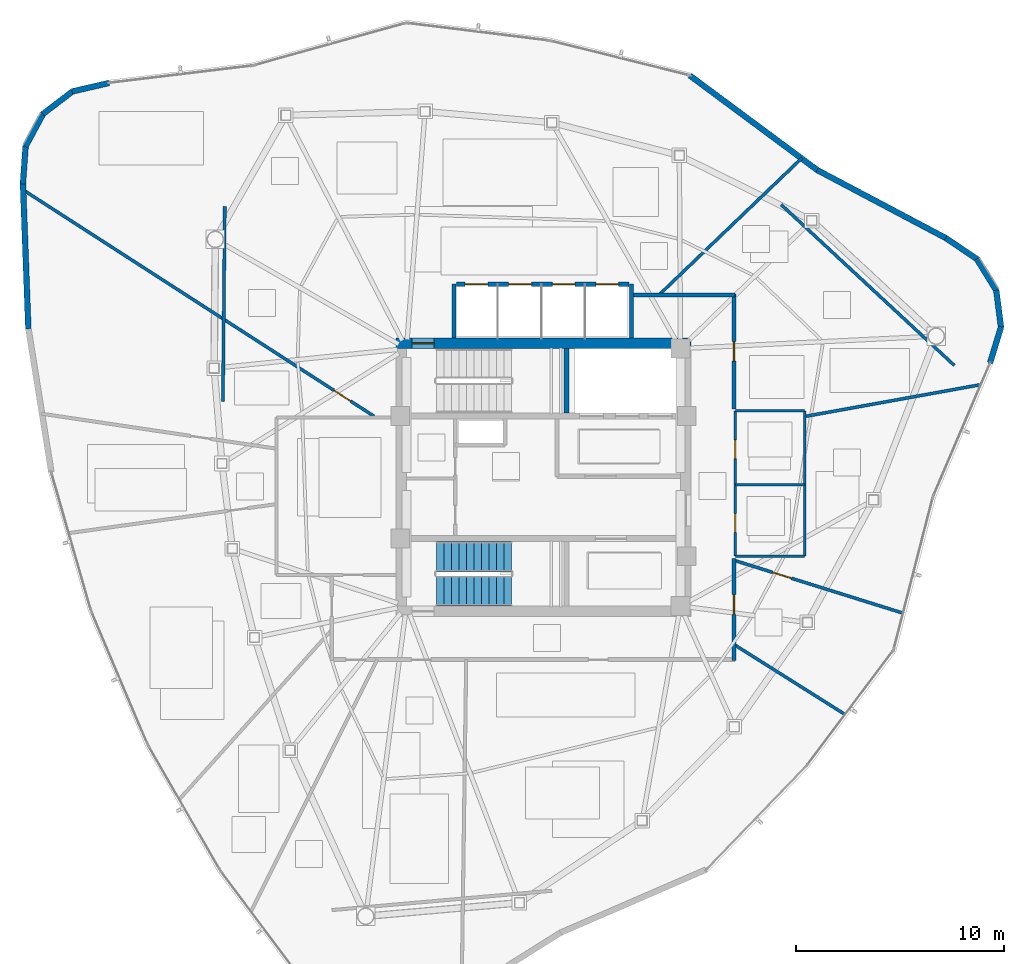
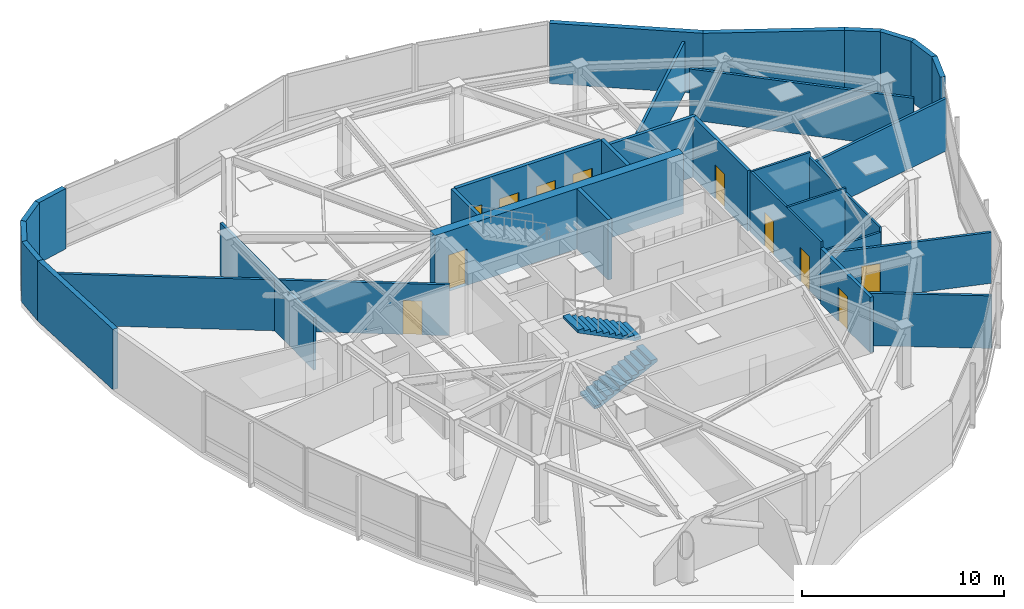
# One storey, part 10 of 14: 31 walls, 11 doors, 2 stair flights, 11 openings, 1 element without a shape of its own.
"""IFC4 building model written with IfcOpenShell, lengths in metres."""

from ifc_helpers import new_model, si_unit, direction, frame, frame_2d, origin, place, context, subcontext, project, spatial, polyline, rectangle, outline, extrude, material, layer, layer_set, type_object, element, fill, aggregate, save


model = new_model("IFC4")

# Units and contexts
model_context = context("Model", 3, precision=1e-05, world=origin(), true_north=direction((0.0, 1.0)))
body_context = subcontext(model_context, "Body", "Model", "MODEL_VIEW")
ifc_project = project(units=[si_unit("LENGTHUNIT", "METRE"), si_unit("AREAUNIT", "SQUARE_METRE"), si_unit("VOLUMEUNIT", "CUBIC_METRE"), si_unit("PLANEANGLEUNIT", "RADIAN"), si_unit("MASSUNIT", "GRAM", prefix="KILO")], contexts=[model_context])

# Site, building, storey
site_placement = place(None, origin())
site = spatial("IfcSite", under=ifc_project, at=site_placement, CompositionType="ELEMENT")
building_placement = place(site_placement, origin())
building = spatial("IfcBuilding", under=site, at=building_placement, Name="Tavelor Broadcast Tower", CompositionType="ELEMENT")
storey_placement = place(building_placement, frame((0.0, 0.0, 249.800048828125)))
storey = spatial("IfcBuildingStorey", under=building, at=storey_placement, Name="L59", CompositionType="ELEMENT", Elevation=249.800048828125)

# Wall, opening, door
ifc_material_1 = material(Name="Concrete C50/60", Category="concrete")
ifc_layer_1 = layer(ifc_material_1, 0.5)
ifc_layer_set_1 = layer_set([ifc_layer_1], Name="Concrete C50/60")
wall_type_1 = type_object("IfcWallType", Name="Core Shear Wall 500 mm", PredefinedType="SHEAR", material=ifc_layer_set_1)
wall_1_placement = place(storey_placement, frame((42.89990234375, 51.449951171875, 0.0), z_axis=(0.0, 0.0, 1.0), x_axis=(1.0, 0.0, 0.0)))
wall_1 = element("IfcWall", 1, at=wall_1_placement, inside=storey, type_object=wall_type_1, Name="L59 Central Core Shear Wall N", PredefinedType="SHEAR", context=body_context, shape_type="SweptSolid", body=[
    extrude(rectangle(XDim=14.2001953125, YDim=0.5, at=frame_2d((7.10009765625, 0.0))), origin(), (0.0, 0.0, 1.0), 3.64990234375),
])
opening_1_placement = place(wall_1_placement, frame((0.780029296875, 0.0, 0.0)))
opening_1 = element("IfcOpeningElement", 2, at=opening_1_placement, cuts=wall_1, Name="Opening DR11", PredefinedType="OPENING", context=body_context, shape_type="SweptSolid", body=[
    extrude(rectangle(XDim=1.050048828125, YDim=2.199951171875, at=frame_2d((0.52490234375, 1.10009765625))), frame((0.0, 0.260009765625, 0.0), z_axis=(0.0, -1.0, 0.0), x_axis=(1.0, 0.0, 0.0)), (0.0, 0.0, 1.0), 0.52001953125),
])
ifc_material_2 = material(Name="Steel S355", Category="steel")
door_type_1 = type_object("IfcDoorType", Name="Stair Core Fire Escape Door 1050x2200", OperationType="NOTDEFINED", PredefinedType="DOOR", material=ifc_material_2)
door_1_placement = place(opening_1_placement, origin())
door_1 = element("IfcDoor", 3, at=door_1_placement, inside=storey, type_object=door_type_1, Name="L59 Stair ST1 Protected Exit Door", OperationType="SINGLE_SWING_LEFT", OverallHeight=2.199951171875, OverallWidth=1.050048828125, PredefinedType="DOOR", context=body_context, shape_type="SweptSolid", body=[
    extrude(rectangle(XDim=1.050048828125, YDim=2.199951171875, at=frame_2d((0.52490234375, 1.10009765625))), frame((0.0, 0.02490234375, 0.0), z_axis=(0.0, -1.0, 0.0), x_axis=(1.0, 0.0, 0.0)), (0.0, 0.0, 1.0), 0.050048828125),
])
fill(opening_1, door_1)

# Wall
ifc_material_3 = material(Name="Calcium Silicate Fire Board 180 mm", Category="gypsum")
ifc_layer_2 = layer(ifc_material_3, 0.179931640625)
ifc_layer_set_2 = layer_set([ifc_layer_2], Name="Calcium Silicate Fire Board 180 mm")
wall_type_2 = type_object("IfcWallType", Name="Fire-Rated Corridor Partition Wall 180 mm", PredefinedType="PARTITIONING", material=ifc_layer_set_2)
wall_2_placement = place(storey_placement, frame((54.300048828125, 53.780029296875, 0.0), z_axis=(0.0, 0.0, 1.0), x_axis=(1.0, 0.0, 0.0)))
element("IfcWall", 4, at=wall_2_placement, inside=storey, type_object=wall_type_2, Name="L59 Corridor Compartment Wall 01", PredefinedType="PARTITIONING", context=body_context, shape_type="SweptSolid", body=[
    extrude(rectangle(XDim=4.929931640625, YDim=0.179931640625, at=frame_2d((2.46484375, 0.0))), origin(), (0.0, 0.0, 1.0), 3.64990234375),
])

# Wall, opening, door
wall_3_placement = place(storey_placement, frame((59.179931640625, 53.830078125, 0.0), z_axis=(0.0, 0.0, 1.0), x_axis=(0.0, -1.0, 0.0)))
wall_3 = element("IfcWall", 5, at=wall_3_placement, inside=storey, type_object=wall_type_2, Name="L59 Corridor Compartment Wall 02", PredefinedType="PARTITIONING", context=body_context, shape_type="SweptSolid", body=[
    extrude(rectangle(XDim=5.530029296875, YDim=0.179931640625, at=frame_2d((2.76513671875, 0.0))), origin(), (0.0, 0.0, 1.0), 3.64990234375),
])
opening_2_placement = place(wall_3_placement, frame((2.2900390625, 0.0, 0.0)))
opening_2 = element("IfcOpeningElement", 6, at=opening_2_placement, cuts=wall_3, Name="Opening DR18", PredefinedType="OPENING", context=body_context, shape_type="SweptSolid", body=[
    extrude(rectangle(XDim=0.949951171875, YDim=2.050048828125, at=frame_2d((0.47509765625, 1.02490234375))), frame((0.0, 0.10009765625, 0.0), z_axis=(0.0, -1.0, 0.0), x_axis=(1.0, 0.0, 0.0)), (0.0, 0.0, 1.0), 0.199951171875),
])
ifc_material_4 = material(Name="Timber Solid Core Hardwood", Category="wood")
door_type_2 = type_object("IfcDoorType", Name="Corridor Rated Compartment Door 950x2050", OperationType="NOTDEFINED", PredefinedType="DOOR", material=ifc_material_4)
door_2_placement = place(opening_2_placement, origin())
door_2 = element("IfcDoor", 7, at=door_2_placement, inside=storey, type_object=door_type_2, Name="L59 Documentary Research Study Door R7", OperationType="SINGLE_SWING_RIGHT", OverallHeight=2.050048828125, OverallWidth=0.949951171875, PredefinedType="DOOR", context=body_context, shape_type="SweptSolid", body=[
    extrude(rectangle(XDim=0.949951171875, YDim=2.050048828125, at=frame_2d((0.47509765625, 1.02490234375))), frame((0.0, 0.02490234375, 0.0), z_axis=(0.0, -1.0, 0.0), x_axis=(1.0, 0.0, 0.0)), (0.0, 0.0, 1.0), 0.050048828125),
])
fill(opening_2, door_2)

wall_4_placement = place(storey_placement, frame((59.179931640625, 41.10009765625, 0.0), z_axis=(0.0, 0.0, 1.0), x_axis=(0.0, -1.0, 0.0)))
wall_4 = element("IfcWall", 8, at=wall_4_placement, inside=storey, type_object=wall_type_2, Name="L59 Corridor Compartment Wall 03", PredefinedType="PARTITIONING", context=body_context, shape_type="SweptSolid", body=[
    extrude(rectangle(XDim=4.93017578125, YDim=0.179931640625, at=frame_2d((2.465087890625, 0.0))), origin(), (0.0, 0.0, 1.0), 3.35498046875),
])
opening_3_placement = place(wall_4_placement, frame((1.748046875, 0.0, 0.0)))
opening_3 = element("IfcOpeningElement", 9, at=opening_3_placement, cuts=wall_4, Name="Opening DR18", PredefinedType="OPENING", context=body_context, shape_type="SweptSolid", body=[
    extrude(rectangle(XDim=0.949951171875, YDim=2.050048828125, at=frame_2d((0.47509765625, 1.02490234375))), frame((0.0, 0.10009765625, 0.0), z_axis=(0.0, -1.0, 0.0), x_axis=(1.0, 0.0, 0.0)), (0.0, 0.0, 1.0), 0.199951171875),
])
door_3_placement = place(opening_3_placement, origin())
door_3 = element("IfcDoor", 10, at=door_3_placement, inside=storey, type_object=door_type_2, Name="L59 Staff Tea Kitchenette Door R9", OperationType="SINGLE_SWING_LEFT", OverallHeight=2.050048828125, OverallWidth=0.949951171875, PredefinedType="DOOR", context=body_context, shape_type="SweptSolid", body=[
    extrude(rectangle(XDim=0.949951171875, YDim=2.050048828125, at=frame_2d((0.47509765625, 1.02490234375))), frame((0.0, 0.02490234375, 0.0), z_axis=(0.0, -1.0, 0.0), x_axis=(1.0, 0.0, 0.0)), (0.0, 0.0, 1.0), 0.050048828125),
])
fill(opening_3, door_3)

# Walls
ifc_material_5 = material(Name="Precast Concrete C40/50", Category="concrete")
ifc_layer_3 = layer(ifc_material_5, 0.280029296875)
ifc_layer_set_3 = layer_set([ifc_layer_3], Name="Precast Concrete C40/50")
wall_type_3 = type_object("IfcWallType", Name="Insulated Precast Terracotta Facade Wall 280 mm", PredefinedType="STANDARD", material=ifc_layer_set_3)
wall_5_placement = place(storey_placement, frame((29.071533203125, 63.99658203125, 0.0), z_axis=(0.0, 0.0, 1.0), x_axis=(-0.974164677747, -0.225838837738, 0.0)))
element("IfcWall", 11, at=wall_5_placement, inside=storey, type_object=wall_type_3, Name="L59 Rounded Corner Structural Cladding Pier 01", PredefinedType="STANDARD", context=body_context, shape_type="SweptSolid", body=[
    extrude(rectangle(XDim=1.820556640625, YDim=0.280029296875, at=frame_2d((0.91015625, 0.0))), origin(), (0.0, 0.0, 1.0), 3.64990234375),
])
for number, where, z_axis, x_axis, name in (
    (12, (27.32470703125, 63.597900390625, 0.0), (0.0, 0.0, 1.0), (-0.795016337745, -0.606588017288, 0.0), "L59 Rounded Corner Structural Cladding Pier 02"),
    (13, (25.90576171875, 62.52294921875, 0.0), (0.0, 0.0, 1.0), (-0.474799871122, -0.88009379181, 0.0), "L59 Rounded Corner Structural Cladding Pier 03"),
):
    element("IfcWall", number, at=place(storey_placement, frame(where, z_axis=z_axis, x_axis=x_axis)), inside=storey, type_object=wall_type_3, Name=name, PredefinedType="STANDARD", context=body_context, shape_type="SweptSolid", body=[
        extrude(rectangle(XDim=1.808837890625, YDim=0.280029296875, at=frame_2d((0.904296875, 0.0))), origin(), (0.0, 0.0, 1.0), 3.64990234375),
    ])
wall_6_placement = place(storey_placement, frame((25.05517578125, 60.959228515625, 0.0), z_axis=(0.0, 0.0, 1.0), x_axis=(-0.070650221837, -0.997501150954, 0.0)))
element("IfcWall", 14, at=wall_6_placement, inside=storey, type_object=wall_type_3, Name="L59 Rounded Corner Structural Cladding Pier 04", PredefinedType="STANDARD", context=body_context, shape_type="SweptSolid", body=[
    extrude(rectangle(XDim=1.83154296875, YDim=0.280029296875, at=frame_2d((0.915771484375, 0.0))), origin(), (0.0, 0.0, 1.0), 3.64990234375),
])
wall_7_placement = place(storey_placement, frame((24.92626953125, 59.162353515625, 0.0), z_axis=(0.0, 0.0, 1.0), x_axis=(0.037034833495, -0.999313975239, 0.0)))
element("IfcWall", 15, at=wall_7_placement, inside=storey, type_object=wall_type_3, Name="L59 Rounded Corner Structural Cladding Pier 05", PredefinedType="STANDARD", context=body_context, shape_type="SweptSolid", body=[
    extrude(rectangle(XDim=7.01416015625, YDim=0.280029296875, at=frame_2d((3.507080078125, 0.0))), origin(), (0.0, 0.0, 1.0), 3.64990234375),
])
wall_8_placement = place(storey_placement, frame((71.515869140625, 50.508544921875, 0.0), z_axis=(0.0, 0.0, 1.0), x_axis=(0.29141775721, 0.956595886873, 0.0)))
element("IfcWall", 16, at=wall_8_placement, inside=storey, type_object=wall_type_3, Name="L59 Rounded Corner Structural Cladding Pier 21", PredefinedType="STANDARD", context=body_context, shape_type="SweptSolid", body=[
    extrude(rectangle(XDim=1.820556640625, YDim=0.280029296875, at=frame_2d((0.91015625, 0.0))), origin(), (0.0, 0.0, 1.0), 3.64990234375),
])
wall_9_placement = place(storey_placement, frame((72.0439453125, 52.220703125, 0.0), z_axis=(0.0, 0.0, 1.0), x_axis=(-0.12795420698, 0.99178007689, 0.0)))
element("IfcWall", 17, at=wall_9_placement, inside=storey, type_object=wall_type_3, Name="L59 Rounded Corner Structural Cladding Pier 22", PredefinedType="STANDARD", context=body_context, shape_type="SweptSolid", body=[
    extrude(rectangle(XDim=1.808837890625, YDim=0.280029296875, at=frame_2d((0.904296875, 0.0))), origin(), (0.0, 0.0, 1.0), 3.64990234375),
])
wall_10_placement = place(storey_placement, frame((71.822509765625, 53.987060546875, 0.0), z_axis=(0.0, 0.0, 1.0), x_axis=(-0.524820244613, 0.851213081927, 0.0)))
element("IfcWall", 18, at=wall_10_placement, inside=storey, type_object=wall_type_3, Name="L59 Rounded Corner Structural Cladding Pier 23", PredefinedType="STANDARD", context=body_context, shape_type="SweptSolid", body=[
    extrude(rectangle(XDim=1.80859375, YDim=0.280029296875, at=frame_2d((0.904296875, 0.0))), origin(), (0.0, 0.0, 1.0), 3.64990234375),
])
wall_11_placement = place(storey_placement, frame((70.8935546875, 55.505615234375, 0.0), z_axis=(0.0, 0.0, 1.0), x_axis=(-0.828547180367, 0.559919253023, 0.0)))
element("IfcWall", 19, at=wall_11_placement, inside=storey, type_object=wall_type_3, Name="L59 Rounded Corner Structural Cladding Pier 24", PredefinedType="STANDARD", context=body_context, shape_type="SweptSolid", body=[
    extrude(rectangle(XDim=1.831298828125, YDim=0.280029296875, at=frame_2d((0.91552734375, 0.0))), origin(), (0.0, 0.0, 1.0), 3.64990234375),
])
wall_12_placement = place(storey_placement, frame((69.40185546875, 56.515625, 0.0), z_axis=(0.0, 0.0, 1.0), x_axis=(-0.883952511214, 0.46757668667, 0.0)))
element("IfcWall", 20, at=wall_12_placement, inside=storey, type_object=wall_type_3, Name="L59 Rounded Corner Structural Cladding Pier 25", PredefinedType="STANDARD", context=body_context, shape_type="SweptSolid", body=[
    extrude(rectangle(XDim=7.033203125, YDim=0.280029296875, at=frame_2d((3.5166015625, 0.0))), origin(), (0.0, 0.0, 1.0), 3.64990234375),
])
wall_13_placement = place(storey_placement, frame((63.2099609375, 59.788330078125, 0.0), z_axis=(0.0, 0.0, 1.0), x_axis=(-0.803244511679, 0.595649439232, 0.0)))
element("IfcWall", 21, at=wall_13_placement, inside=storey, type_object=wall_type_3, Name="L59 Rounded Corner Structural Cladding Pier 26", PredefinedType="STANDARD", context=body_context, shape_type="SweptSolid", body=[
    extrude(rectangle(XDim=7.66552734375, YDim=0.280029296875, at=frame_2d((3.832763671875, 0.0))), origin(), (0.0, 0.0, 1.0), 3.64990234375),
])
ifc_material_6 = material(Name="Gypsum Acoustic Plasterboard 150 mm", Category="gypsum")
ifc_layer_4 = layer(ifc_material_6, 0.14990234375)
ifc_layer_set_4 = layer_set([ifc_layer_4], Name="Gypsum Acoustic Plasterboard 150 mm")
wall_type_4 = type_object("IfcWallType", Name="Interior Acoustic Partition Wall 150 mm", PredefinedType="PARTITIONING", material=ifc_layer_set_4)
wall_14_placement = place(storey_placement, frame((34.651611328125, 58.0556640625, 0.0), z_axis=(0.0, 0.0, 1.0), x_axis=(-0.009553538759, -0.999954363907, 0.0)))
element("IfcWall", 22, at=wall_14_placement, inside=storey, type_object=wall_type_4, Name="L59 Corner Tube Brace Furring Wall 1", PredefinedType="PARTITIONING", context=body_context, shape_type="SweptSolid", body=[
    extrude(rectangle(XDim=9.404296875, YDim=0.14990234375, at=frame_2d((4.7021484375, 0.0))), origin(), (0.0, 0.0, 1.0), 3.175048828125),
])
wall_15_placement = place(storey_placement, frame((69.79248046875, 50.387939453125, 0.0), z_axis=(0.0, 0.0, 1.0), x_axis=(-0.732769799181, 0.680476613418, 0.0)))
element("IfcWall", 23, at=wall_15_placement, inside=storey, type_object=wall_type_4, Name="L59 Corner Tube Brace Furring Wall 3", PredefinedType="PARTITIONING", context=body_context, shape_type="SweptSolid", body=[
    extrude(rectangle(XDim=11.377685546875, YDim=0.14990234375, at=frame_2d((5.68896484375, 0.0))), origin(), (0.0, 0.0, 1.0), 3.074951171875),
])

# Wall, opening, door
wall_16_placement = place(storey_placement, frame((41.841796875, 47.93994140625, 0.0), z_axis=(0.0, 0.0, 1.0), x_axis=(-0.840361703529, 0.542026020817, 0.0)))
wall_16 = element("IfcWall", 24, at=wall_16_placement, inside=storey, type_object=wall_type_4, Name="L59 Radial Compartment Wall 01", PredefinedType="PARTITIONING", context=body_context, shape_type="SweptSolid", body=[
    extrude(rectangle(XDim=20.127197265625, YDim=0.14990234375, at=frame_2d((10.0634765625, 0.0))), origin(), (0.0, 0.0, 1.0), 3.074951171875),
])
opening_4_placement = place(wall_16_placement, frame((1.35009765625, 0.0, 0.0)))
opening_4 = element("IfcOpeningElement", 25, at=opening_4_placement, cuts=wall_16, Name="Opening DR18", PredefinedType="OPENING", context=body_context, shape_type="SweptSolid", body=[
    extrude(rectangle(XDim=0.949951171875, YDim=2.050048828125, at=frame_2d((0.47509765625, 1.02490234375))), frame((0.0, 0.0849609375, 0.0), z_axis=(0.0, -1.0, 0.0), x_axis=(1.0, 0.0, 0.0)), (0.0, 0.0, 1.0), 0.169921875),
])
door_4_placement = place(opening_4_placement, origin())
door_4 = element("IfcDoor", 26, at=door_4_placement, inside=storey, type_object=door_type_2, Name="L59 Suite Connecting Door 6", OperationType="SINGLE_SWING_RIGHT", OverallHeight=2.050048828125, OverallWidth=0.949951171875, PredefinedType="DOOR", context=body_context, shape_type="SweptSolid", body=[
    extrude(rectangle(XDim=0.949951171875, YDim=2.050048828125, at=frame_2d((0.47509765625, 1.02490234375))), frame((0.0, 0.02490234375, 0.0), z_axis=(0.0, -1.0, 0.0), x_axis=(1.0, 0.0, 0.0)), (0.0, 0.0, 1.0), 0.050048828125),
])
fill(opening_4, door_4)

# Wall
wall_17_placement = place(storey_placement, frame((59.179931640625, 36.946044921875, 0.0), z_axis=(0.0, 0.0, 1.0), x_axis=(0.846029953898, -0.533135364713, 0.0)))
element("IfcWall", 27, at=wall_17_placement, inside=storey, type_object=wall_type_4, Name="L59 Radial Compartment Wall 07", PredefinedType="PARTITIONING", context=body_context, shape_type="SweptSolid", body=[
    extrude(rectangle(XDim=6.331787109375, YDim=0.14990234375, at=frame_2d((3.166015625, 0.0))), origin(), (0.0, 0.0, 1.0), 3.175048828125),
])

# Wall, opening, door
wall_18_placement = place(storey_placement, frame((59.179931640625, 41.002197265625, 0.0), z_axis=(0.0, 0.0, 1.0), x_axis=(0.954391930712, -0.298556598641, 0.0)))
wall_18 = element("IfcWall", 28, at=wall_18_placement, inside=storey, type_object=wall_type_4, Name="L59 Radial Compartment Wall 08", PredefinedType="PARTITIONING", context=body_context, shape_type="SweptSolid", body=[
    extrude(rectangle(XDim=8.53955078125, YDim=0.14990234375, at=frame_2d((4.269775390625, 0.0))), origin(), (0.0, 0.0, 1.0), 3.074951171875),
])
opening_5_placement = place(wall_18_placement, frame((1.949951171875, 0.0, 0.0)))
opening_5 = element("IfcOpeningElement", 29, at=opening_5_placement, cuts=wall_18, Name="Opening DR18", PredefinedType="OPENING", context=body_context, shape_type="SweptSolid", body=[
    extrude(rectangle(XDim=0.949951171875, YDim=2.050048828125, at=frame_2d((0.47509765625, 1.02490234375))), frame((0.0, 0.0849609375, 0.0), z_axis=(0.0, -1.0, 0.0), x_axis=(1.0, 0.0, 0.0)), (0.0, 0.0, 1.0), 0.169921875),
])
door_5_placement = place(opening_5_placement, origin())
door_5 = element("IfcDoor", 30, at=door_5_placement, inside=storey, type_object=door_type_2, Name="L59 Suite Connecting Door 8", OperationType="SINGLE_SWING_LEFT", OverallHeight=2.050048828125, OverallWidth=0.949951171875, PredefinedType="DOOR", context=body_context, shape_type="SweptSolid", body=[
    extrude(rectangle(XDim=0.949951171875, YDim=2.050048828125, at=frame_2d((0.47509765625, 1.02490234375))), frame((0.0, 0.02490234375, 0.0), z_axis=(0.0, -1.0, 0.0), x_axis=(1.0, 0.0, 0.0)), (0.0, 0.0, 1.0), 0.050048828125),
])
fill(opening_5, door_5)

# Walls
wall_19_placement = place(storey_placement, frame((62.64990234375, 47.93994140625, 0.0), z_axis=(0.0, 0.0, 1.0), x_axis=(0.984027735719, 0.178015210965, 0.0)))
element("IfcWall", 31, at=wall_19_placement, inside=storey, type_object=wall_type_4, Name="L59 Radial Compartment Wall 09", PredefinedType="PARTITIONING", context=body_context, shape_type="SweptSolid", body=[
    extrude(rectangle(XDim=8.567626953125, YDim=0.14990234375, at=frame_2d((4.28369140625, 0.0))), origin(), (0.0, 0.0, 1.0), 3.175048828125),
])
wall_20_placement = place(storey_placement, frame((55.563232421875, 53.780029296875, 0.0), z_axis=(0.0, 0.0, 1.0), x_axis=(0.722041014637, 0.691850253438, 0.0)))
element("IfcWall", 32, at=wall_20_placement, inside=storey, type_object=wall_type_4, Name="L59 Radial Compartment Wall 10", PredefinedType="PARTITIONING", context=body_context, shape_type="SweptSolid", body=[
    extrude(rectangle(XDim=9.526123046875, YDim=0.14990234375, at=frame_2d((4.76318359375, 0.0))), origin(), (0.0, 0.0, 1.0), 3.074951171875),
])

# Wall, openings, doors
ifc_material_7 = material(Name="Concrete Blockwork 200 mm", Category="masonry")
ifc_layer_5 = layer(ifc_material_7, 0.199951171875)
ifc_layer_set_5 = layer_set([ifc_layer_5], Name="Concrete Blockwork 200 mm")
wall_type_5 = type_object("IfcWallType", Name="Lift Hoistway Rated Front Wall 200 mm", PredefinedType="PARTITIONING", material=ifc_layer_set_5)
wall_21_placement = place(storey_placement, frame((45.820068359375, 54.300048828125, 0.0), z_axis=(0.0, 0.0, 1.0), x_axis=(1.0, 0.0, 0.0)))
wall_21 = element("IfcWall", 33, at=wall_21_placement, inside=storey, type_object=wall_type_5, Name="L59 High-Rise Lift Hoistway Front Wall", PredefinedType="PARTITIONING", context=body_context, shape_type="SweptSolid", body=[
    extrude(rectangle(XDim=8.309814453125, YDim=0.199951171875, at=frame_2d((4.15478515625, 0.0))), origin(), (0.0, 0.0, 1.0), 3.64990234375),
])
opening_6_placement = place(wall_21_placement, frame((0.405029296875, 0.0, 0.0)))
opening_6 = element("IfcOpeningElement", 34, at=opening_6_placement, cuts=wall_21, Name="Opening LD01", PredefinedType="OPENING", context=body_context, shape_type="SweptSolid", body=[
    extrude(rectangle(XDim=1.10009765625, YDim=2.14990234375, at=frame_2d((0.550048828125, 1.074951171875))), frame((0.0, 0.10986328125, 0.0), z_axis=(0.0, -1.0, 0.0), x_axis=(1.0, 0.0, 0.0)), (0.0, 0.0, 1.0), 0.219970703125),
])
opening_7_placement = place(wall_21_placement, frame((2.5048828125, 0.0, 0.0)))
opening_7 = element("IfcOpeningElement", 35, at=opening_7_placement, cuts=wall_21, Name="Opening LD01", PredefinedType="OPENING", context=body_context, shape_type="SweptSolid", body=[
    extrude(rectangle(XDim=1.10009765625, YDim=2.14990234375, at=frame_2d((0.550048828125, 1.074951171875))), frame((0.0, 0.10986328125, 0.0), z_axis=(0.0, -1.0, 0.0), x_axis=(1.0, 0.0, 0.0)), (0.0, 0.0, 1.0), 0.219970703125),
])
opening_8_placement = place(wall_21_placement, frame((4.60498046875, 0.0, 0.0)))
opening_8 = element("IfcOpeningElement", 36, at=opening_8_placement, cuts=wall_21, Name="Opening LD01", PredefinedType="OPENING", context=body_context, shape_type="SweptSolid", body=[
    extrude(rectangle(XDim=1.10009765625, YDim=2.14990234375, at=frame_2d((0.550048828125, 1.074951171875))), frame((0.0, 0.10986328125, 0.0), z_axis=(0.0, -1.0, 0.0), x_axis=(1.0, 0.0, 0.0)), (0.0, 0.0, 1.0), 0.219970703125),
])
opening_9_placement = place(wall_21_placement, frame((6.705078125, 0.0, 0.0)))
opening_9 = element("IfcOpeningElement", 37, at=opening_9_placement, cuts=wall_21, Name="Opening LD01", PredefinedType="OPENING", context=body_context, shape_type="SweptSolid", body=[
    extrude(rectangle(XDim=1.10009765625, YDim=2.14990234375, at=frame_2d((0.550048828125, 1.074951171875))), frame((0.0, 0.10986328125, 0.0), z_axis=(0.0, -1.0, 0.0), x_axis=(1.0, 0.0, 0.0)), (0.0, 0.0, 1.0), 0.219970703125),
])
ifc_material_8 = material(Name="Brushed Stainless Steel", Category="steel")
door_type_3 = type_object("IfcDoorType", Name="Passenger Lift Sliding Landing Door 1100x2150", OperationType="NOTDEFINED", PredefinedType="DOOR", material=ifc_material_8)
door_6_placement = place(opening_6_placement, origin())
door_6 = element("IfcDoor", 38, at=door_6_placement, inside=storey, type_object=door_type_3, Name="L59 Lift PLH1 Sliding Landing Door", OperationType="SLIDING_TO_LEFT", OverallHeight=2.14990234375, OverallWidth=1.10009765625, PredefinedType="DOOR", context=body_context, shape_type="SweptSolid", body=[
    extrude(rectangle(XDim=1.10009765625, YDim=2.14990234375, at=frame_2d((0.550048828125, 1.074951171875))), frame((0.0, 0.02490234375, 0.0), z_axis=(0.0, -1.0, 0.0), x_axis=(1.0, 0.0, 0.0)), (0.0, 0.0, 1.0), 0.050048828125),
])
fill(opening_6, door_6)
door_7_placement = place(opening_7_placement, origin())
door_7 = element("IfcDoor", 39, at=door_7_placement, inside=storey, type_object=door_type_3, Name="L59 Lift PLH2 Sliding Landing Door", OperationType="SLIDING_TO_RIGHT", OverallHeight=2.14990234375, OverallWidth=1.10009765625, PredefinedType="DOOR", context=body_context, shape_type="SweptSolid", body=[
    extrude(rectangle(XDim=1.10009765625, YDim=2.14990234375, at=frame_2d((0.550048828125, 1.074951171875))), frame((0.0, 0.02490234375, 0.0), z_axis=(0.0, -1.0, 0.0), x_axis=(1.0, 0.0, 0.0)), (0.0, 0.0, 1.0), 0.050048828125),
])
fill(opening_7, door_7)
door_8_placement = place(opening_8_placement, origin())
door_8 = element("IfcDoor", 40, at=door_8_placement, inside=storey, type_object=door_type_3, Name="L59 Lift PLH3 Sliding Landing Door", OperationType="SLIDING_TO_LEFT", OverallHeight=2.14990234375, OverallWidth=1.10009765625, PredefinedType="DOOR", context=body_context, shape_type="SweptSolid", body=[
    extrude(rectangle(XDim=1.10009765625, YDim=2.14990234375, at=frame_2d((0.550048828125, 1.074951171875))), frame((0.0, 0.02490234375, 0.0), z_axis=(0.0, -1.0, 0.0), x_axis=(1.0, 0.0, 0.0)), (0.0, 0.0, 1.0), 0.050048828125),
])
fill(opening_8, door_8)
door_9_placement = place(opening_9_placement, origin())
door_9 = element("IfcDoor", 41, at=door_9_placement, inside=storey, type_object=door_type_3, Name="L59 Lift PLH4 Sliding Landing Door", OperationType="SLIDING_TO_RIGHT", OverallHeight=2.14990234375, OverallWidth=1.10009765625, PredefinedType="DOOR", context=body_context, shape_type="SweptSolid", body=[
    extrude(rectangle(XDim=1.10009765625, YDim=2.14990234375, at=frame_2d((0.550048828125, 1.074951171875))), frame((0.0, 0.02490234375, 0.0), z_axis=(0.0, -1.0, 0.0), x_axis=(1.0, 0.0, 0.0)), (0.0, 0.0, 1.0), 0.050048828125),
])
fill(opening_9, door_9)

# Walls
ifc_layer_6 = layer(ifc_material_7, 0.199951171875)
ifc_layer_set_6 = layer_set([ifc_layer_6], Name="Concrete Blockwork 200 mm")
wall_type_6 = type_object("IfcWallType", Name="Lift and Riser Shaft Enclosure Wall 200 mm", PredefinedType="PARTITIONING", material=ifc_layer_set_6)
for number, where, z_axis, x_axis, name in (
    (42, (45.699951171875, 51.699951171875, 0.0), (0.0, 0.0, 1.0), (0.0, 1.0, 0.0), "L59 High-Rise Lift Shaft West Wall"),
    (43, (54.25, 51.699951171875, 0.0), (0.0, 0.0, 1.0), (0.0, 1.0, 0.0), "L59 High-Rise Lift Shaft East Wall"),
):
    element("IfcWall", number, at=place(storey_placement, frame(where, z_axis=z_axis, x_axis=x_axis)), inside=storey, type_object=wall_type_6, Name=name, PredefinedType="PARTITIONING", context=body_context, shape_type="SweptSolid", body=[
        extrude(rectangle(XDim=2.60009765625, YDim=0.199951171875, at=frame_2d((1.300048828125, 0.0))), origin(), (0.0, 0.0, 1.0), 3.64990234375),
    ])

# Wall, openings, doors
ifc_material_9 = material(Name="Moisture-Resistant Plasterboard 120 mm", Category="gypsum")
ifc_layer_7 = layer(ifc_material_9, 0.1201171875)
ifc_layer_set_7 = layer_set([ifc_layer_7], Name="Moisture-Resistant Plasterboard 120 mm")
wall_type_7 = type_object("IfcWallType", Name="Moisture-Resistant Wet-Room Partition 120 mm", PredefinedType="PARTITIONING", material=ifc_layer_set_7)
wall_22_placement = place(storey_placement, frame((59.239990234375, 41.199951171875, 0.0), z_axis=(0.0, 0.0, 1.0), x_axis=(0.0, 1.0, 0.0)))
wall_22 = element("IfcWall", 44, at=wall_22_placement, inside=storey, type_object=wall_type_7, Name="L59 Floor Washrooms West Wall", PredefinedType="PARTITIONING", context=body_context, shape_type="SweptSolid", body=[
    extrude(rectangle(XDim=7.0, YDim=0.1201171875, at=frame_2d((3.5, 0.0))), origin(), (0.0, 0.0, 1.0), 3.64990234375),
])
opening_10_placement = place(wall_22_placement, frame((1.14990234375, 0.0, 0.0)))
opening_10 = element("IfcOpeningElement", 45, at=opening_10_placement, cuts=wall_22, Name="Opening DR32", PredefinedType="OPENING", context=body_context, shape_type="SweptSolid", body=[
    extrude(rectangle(XDim=0.89990234375, YDim=2.050048828125, at=frame_2d((0.449951171875, 1.02490234375))), frame((0.0, 0.070068359375, 0.0), z_axis=(0.0, -1.0, 0.0), x_axis=(1.0, 0.0, 0.0)), (0.0, 0.0, 1.0), 0.14013671875),
])
opening_11_placement = place(wall_22_placement, frame((4.699951171875, 0.0, 0.0)))
opening_11 = element("IfcOpeningElement", 46, at=opening_11_placement, cuts=wall_22, Name="Opening DR32", PredefinedType="OPENING", context=body_context, shape_type="SweptSolid", body=[
    extrude(rectangle(XDim=0.89990234375, YDim=2.050048828125, at=frame_2d((0.449951171875, 1.02490234375))), frame((0.0, 0.070068359375, 0.0), z_axis=(0.0, -1.0, 0.0), x_axis=(1.0, 0.0, 0.0)), (0.0, 0.0, 1.0), 0.14013671875),
])
door_type_4 = type_object("IfcDoorType", Name="Accessible Washroom Door 900x2050", OperationType="NOTDEFINED", PredefinedType="DOOR", material=ifc_material_4)
door_10_placement = place(opening_10_placement, origin())
door_10 = element("IfcDoor", 47, at=door_10_placement, inside=storey, type_object=door_type_4, Name="L59 Accessible WC Door", OperationType="SINGLE_SWING_LEFT", OverallHeight=2.050048828125, OverallWidth=0.89990234375, PredefinedType="DOOR", context=body_context, shape_type="SweptSolid", body=[
    extrude(rectangle(XDim=0.89990234375, YDim=2.050048828125, at=frame_2d((0.449951171875, 1.02490234375))), frame((0.0, 0.02490234375, 0.0), z_axis=(0.0, -1.0, 0.0), x_axis=(1.0, 0.0, 0.0)), (0.0, 0.0, 1.0), 0.050048828125),
])
fill(opening_10, door_10)
door_11_placement = place(opening_11_placement, origin())
door_11 = element("IfcDoor", 48, at=door_11_placement, inside=storey, type_object=door_type_4, Name="L59 Staff Washroom WC Door", OperationType="SINGLE_SWING_RIGHT", OverallHeight=2.050048828125, OverallWidth=0.89990234375, PredefinedType="DOOR", context=body_context, shape_type="SweptSolid", body=[
    extrude(rectangle(XDim=0.89990234375, YDim=2.050048828125, at=frame_2d((0.449951171875, 1.02490234375))), frame((0.0, 0.02490234375, 0.0), z_axis=(0.0, -1.0, 0.0), x_axis=(1.0, 0.0, 0.0)), (0.0, 0.0, 1.0), 0.050048828125),
])
fill(opening_11, door_11)

# Walls
wall_23_placement = place(storey_placement, frame((59.239990234375, 41.199951171875, 0.0), z_axis=(0.0, 0.0, 1.0), x_axis=(1.0, 0.0, 0.0)))
element("IfcWall", 49, at=wall_23_placement, inside=storey, type_object=wall_type_7, Name="L59 Floor Washrooms South Wall", PredefinedType="PARTITIONING", context=body_context, shape_type="SweptSolid", body=[
    extrude(rectangle(XDim=3.340087890625, YDim=0.1201171875, at=frame_2d((1.669921875, 0.0))), origin(), (0.0, 0.0, 1.0), 3.074951171875),
])
for number, where, z_axis, x_axis, name in (
    (50, (59.239990234375, 44.64990234375, 0.0), (0.0, 0.0, 1.0), (1.0, 0.0, 0.0), "L59 Floor Washrooms Divider Wall"),
    (51, (59.239990234375, 48.199951171875, 0.0), (0.0, 0.0, 1.0), (1.0, 0.0, 0.0), "L59 Floor Washrooms North Wall"),
):
    element("IfcWall", number, at=place(storey_placement, frame(where, z_axis=z_axis, x_axis=x_axis)), inside=storey, type_object=wall_type_7, Name=name, PredefinedType="PARTITIONING", context=body_context, shape_type="SweptSolid", body=[
        extrude(rectangle(XDim=3.340087890625, YDim=0.1201171875, at=frame_2d((1.669921875, 0.0))), origin(), (0.0, 0.0, 1.0), 3.64990234375),
    ])
wall_24_placement = place(storey_placement, frame((62.580078125, 41.199951171875, 0.0), z_axis=(0.0, 0.0, 1.0), x_axis=(0.0, 1.0, 0.0)))
element("IfcWall", 52, at=wall_24_placement, inside=storey, type_object=wall_type_7, Name="L59 Floor Washrooms East Wall", PredefinedType="PARTITIONING", context=body_context, shape_type="SweptSolid", body=[
    extrude(rectangle(XDim=7.0, YDim=0.1201171875, at=frame_2d((3.5, 0.0))), origin(), (0.0, 0.0, 1.0), 3.35498046875),
])
ifc_material_10 = material(Name="Concrete C40/50", Category="concrete")
ifc_layer_8 = layer(ifc_material_10, 0.219970703125)
ifc_layer_set_8 = layer_set([ifc_layer_8], Name="Concrete C40/50")
wall_type_8 = type_object("IfcWallType", Name="Structural Stairwell Shear Wall 220 mm", PredefinedType="SHEAR", material=ifc_layer_set_8)
wall_25_placement = place(storey_placement, frame((51.110107421875, 48.10009765625, 0.0), z_axis=(0.0, 0.0, 1.0), x_axis=(0.0, 1.0, 0.0)))
element("IfcWall", 53, at=wall_25_placement, inside=storey, type_object=wall_type_8, Name="L59 Stair ST1 Structural Shaft Wall", PredefinedType="SHEAR", context=body_context, shape_type="SweptSolid", body=[
    extrude(rectangle(XDim=3.099853515625, YDim=0.219970703125, at=frame_2d((1.5498046875, 0.0))), origin(), (0.0, 0.0, 1.0), 3.64990234375),
])

# Stair, stair flights
stair_type = type_object("IfcStairType", Name="Reinforced Concrete Protected Dogleg Stair 1450 mm", PredefinedType="HALF_TURN_STAIR", material=ifc_material_10)
stair_placement = place(storey_placement, origin())
stair = element("IfcStair", 54, at=stair_placement, inside=storey, type_object=stair_type, Name="L59 Protected Core Exit Stair ST2", PredefinedType="HALF_TURN_STAIR")
stair_flight_type = type_object("IfcStairFlightType", Name="Reinforced Concrete Stair Flight 1450 mm", PredefinedType="STRAIGHT", material=ifc_material_10)
stair_flight_1_placement = place(storey_placement, frame((44.85009765625, 39.52490234375, 0.0), z_axis=(0.0, 0.0, 1.0), x_axis=(1.0, 0.0, 0.0)))
stair_flight_1 = element("IfcStairFlight", 55, at=stair_flight_1_placement, type_object=stair_flight_type, Name="ST2 flight 1", NumberOfRisers=11, NumberOfTreads=10, PredefinedType="STRAIGHT", RiserHeight=0.179545455, TreadLength=0.36, context=body_context, shape_type="SweptSolid", body=[
    extrude(outline(polyline([(0.0, 0.0), (0.0, 0.179443359375), (0.360107421875, 0.179443359375), (0.360107421875, 0.359130859375), (0.719970703125, 0.359130859375), (0.719970703125, 0.53857421875), (1.080078125, 0.53857421875), (1.080078125, 0.71826171875), (1.43994140625, 0.71826171875), (1.43994140625, 0.897705078125), (1.800048828125, 0.897705078125), (1.800048828125, 1.077392578125), (2.159912109375, 1.077392578125), (2.159912109375, 1.2568359375), (2.52001953125, 1.2568359375), (2.52001953125, 1.436279296875), (2.8798828125, 1.436279296875), (2.8798828125, 1.615966796875), (3.239990234375, 1.615966796875), (3.239990234375, 1.79541015625), (3.60009765625, 1.79541015625), (3.60009765625, 1.97509765625), (3.60009765625, 1.6279296875), (0.3359375, 0.0), (0.0, 0.0)])), frame((0.0, 0.72509765625, 0.0), z_axis=(0.0, -1.0, 0.0), x_axis=(1.0, 0.0, 0.0)), (0.0, 0.0, 1.0), 1.449951171875),
])
stair_flight_2_placement = place(storey_placement, frame((48.449951171875, 41.175048828125, 1.974853515625), z_axis=(0.0, 0.0, 1.0), x_axis=(-1.0, 0.0, 0.0)))
stair_flight_2 = element("IfcStairFlight", 56, at=stair_flight_2_placement, type_object=stair_flight_type, Name="ST2 flight 2", NumberOfRisers=11, NumberOfTreads=10, PredefinedType="STRAIGHT", RiserHeight=0.179545455, TreadLength=0.36, context=body_context, shape_type="SweptSolid", body=[
    extrude(outline(polyline([(0.0, 0.0), (0.0, 0.179443359375), (0.360107421875, 0.179443359375), (0.360107421875, 0.359130859375), (0.719970703125, 0.359130859375), (0.719970703125, 0.53857421875), (1.080078125, 0.53857421875), (1.080078125, 0.71826171875), (1.43994140625, 0.71826171875), (1.43994140625, 0.897705078125), (1.800048828125, 0.897705078125), (1.800048828125, 1.077392578125), (2.159912109375, 1.077392578125), (2.159912109375, 1.2568359375), (2.52001953125, 1.2568359375), (2.52001953125, 1.436279296875), (2.8798828125, 1.436279296875), (2.8798828125, 1.615966796875), (3.239990234375, 1.615966796875), (3.239990234375, 1.79541015625), (3.60009765625, 1.79541015625), (3.60009765625, 1.97509765625), (3.60009765625, 1.6279296875), (0.3359375, 0.0), (0.0, 0.0)])), frame((0.0, 0.72509765625, 0.0), z_axis=(0.0, -1.0, 0.0), x_axis=(1.0, 0.0, 0.0)), (0.0, 0.0, 1.0), 1.449951171875),
])
aggregate(stair, [stair_flight_1, stair_flight_2])

save(model, "model.ifc")
